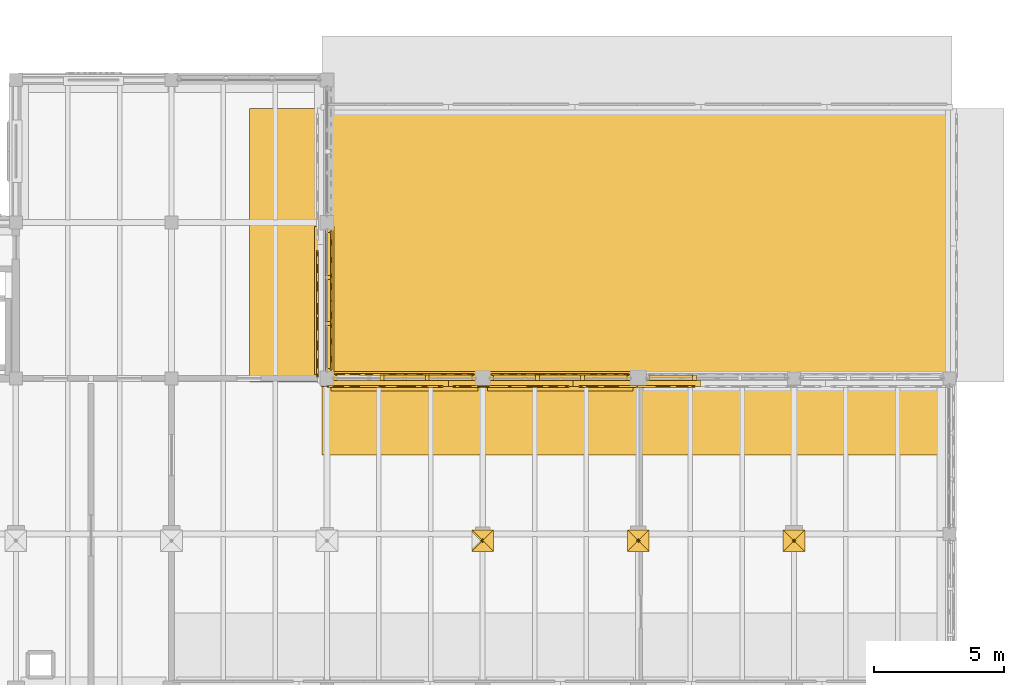
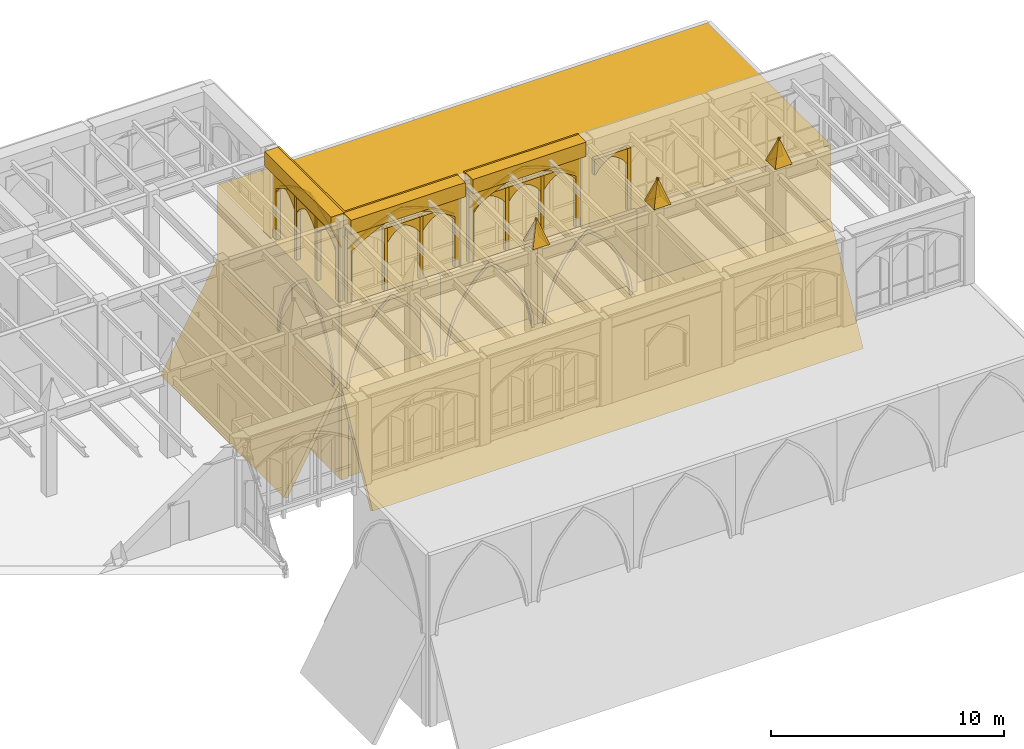
# One storey, part 139 of 143: 49 coverings.
"""IFC4 building model written with IfcOpenShell, lengths in metres."""

from ifc_helpers import new_model, si_unit, direction, frame, origin, origin_2d, place, context, subcontext, project, spatial, polyline, rectangle, outline, extrude, material, type_object, element, save


model = new_model("IFC4")

# Units and contexts
model_context = context("Model", 3, precision=1e-05, world=origin(), true_north=direction((0.0, 1.0)))
body_context = subcontext(model_context, "Body", "Model", "MODEL_VIEW")
ifc_project = project(units=[si_unit("LENGTHUNIT", "METRE"), si_unit("AREAUNIT", "SQUARE_METRE"), si_unit("VOLUMEUNIT", "CUBIC_METRE"), si_unit("PLANEANGLEUNIT", "RADIAN"), si_unit("MASSUNIT", "GRAM", prefix="KILO")], contexts=[model_context])

# Site, building, storey
site_placement = place(None, origin())
site = spatial("IfcSite", under=ifc_project, at=site_placement, CompositionType="ELEMENT")
building_placement = place(site_placement, origin())
building = spatial("IfcBuilding", under=site, at=building_placement, Name="Cumevento Cable Car Station", CompositionType="ELEMENT")
storey_placement = place(building_placement, frame((0.0, 0.0, 9.0)))
storey = spatial("IfcBuildingStorey", under=building, at=storey_placement, Name="L03", CompositionType="ELEMENT", Elevation=9.0)

# Coverings
ifc_material = material(Name="Gnaisse Facoidal Stone Ashlar 85 MPa", Category="masonry")
covering_type = type_object("IfcCoveringType", Name="Gnaisse Ashlar Cladding CV-CL01", PredefinedType="CLADDING", material=ifc_material)
for number, where, z_axis, x_axis, name in (
    (1, (147.580078125, 39.159912109375, 4.8701171875), (0.0, 0.951573760476, 0.30742052367), (1.0, 0.0, 0.0), "Gothic Buttress Pinnacle Spire Facet 1 bt:148.0:39.0"),
    (2, (148.419921875, 39.159912109375, 4.8701171875), (0.951573760476, 0.0, 0.30742052367), (0.0, -1.0, 0.0), "Gothic Buttress Pinnacle Spire Facet 2 bt:148.0:39.0"),
    (3, (148.419921875, 38.320068359375, 4.8701171875), (0.0, -0.951573760476, 0.30742052367), (-1.0, 0.0, 0.0), "Gothic Buttress Pinnacle Spire Facet 3 bt:148.0:39.0"),
    (4, (153.580078125, 39.159912109375, 4.8701171875), (0.0, 0.951573760476, 0.30742052367), (1.0, 0.0, 0.0), "Gothic Buttress Pinnacle Spire Facet 1 bt:154.0:39.0"),
    (5, (154.419921875, 39.159912109375, 4.8701171875), (0.951573760476, 0.0, 0.30742052367), (0.0, -1.0, 0.0), "Gothic Buttress Pinnacle Spire Facet 2 bt:154.0:39.0"),
    (6, (154.419921875, 38.320068359375, 4.8701171875), (0.0, -0.951573760476, 0.30742052367), (-1.0, 0.0, 0.0), "Gothic Buttress Pinnacle Spire Facet 3 bt:154.0:39.0"),
    (7, (153.580078125, 38.320068359375, 4.8701171875), (-0.951573760476, 0.0, 0.30742052367), (0.0, 1.0, 0.0), "Gothic Buttress Pinnacle Spire Facet 4 bt:154.0:39.0"),
    (8, (159.580078125, 39.159912109375, 4.8701171875), (0.0, 0.951573760476, 0.30742052367), (1.0, 0.0, 0.0), "Gothic Buttress Pinnacle Spire Facet 1 bt:160.0:39.0"),
    (9, (160.419921875, 39.159912109375, 4.8701171875), (0.951573760476, 0.0, 0.30742052367), (0.0, -1.0, 0.0), "Gothic Buttress Pinnacle Spire Facet 2 bt:160.0:39.0"),
    (10, (160.419921875, 38.320068359375, 4.8701171875), (0.0, -0.951573760476, 0.30742052367), (-1.0, 0.0, 0.0), "Gothic Buttress Pinnacle Spire Facet 3 bt:160.0:39.0"),
    (11, (159.580078125, 38.320068359375, 4.8701171875), (-0.951573760476, 0.0, 0.30742052367), (0.0, 1.0, 0.0), "Gothic Buttress Pinnacle Spire Facet 4 bt:160.0:39.0"),
):
    element("IfcCovering", number, at=place(storey_placement, frame(where, z_axis=z_axis, x_axis=x_axis)), inside=storey, type_object=covering_type, Name=name, PredefinedType="CLADDING", context=body_context, shape_type="SweptSolid", body=[
        extrude(outline(polyline([(0.0, 0.0), (0.83984375, 0.0), (0.419921875, -1.3659526370817139), (0.0, 0.0)])), origin(), (0.0, 0.0, -1.0), 0.0849609375),
    ])
covering_1_placement = place(storey_placement, frame((144.987548828125, 44.85009765625, 3.80908203125), z_axis=(0.0, 0.0, 1.0), x_axis=(1.0, 0.0, 0.0)))
element("IfcCovering", 12, at=covering_1_placement, inside=storey, type_object=covering_type, Name="Gothic Stone Spandrel Stringcourse sc:0685", PredefinedType="CLADDING", context=body_context, shape_type="SweptSolid", body=[
    extrude(rectangle(XDim=5.6650390625, YDim=0.659912109375, at=origin_2d()), origin(), (0.0, 0.0, 1.0), 0.7470703125),
])
covering_2_placement = place(storey_placement, frame((144.987548828125, 45.20751953125, 4.426025390625), z_axis=(0.0, 0.0, 1.0), x_axis=(1.0, 0.0, 0.0)))
element("IfcCovering", 13, at=covering_2_placement, inside=storey, type_object=covering_type, Name="Gothic Cornice Dripstone Lip sc:0685", PredefinedType="CLADDING", context=body_context, shape_type="SweptSolid", body=[
    extrude(rectangle(XDim=5.705078125, YDim=0.114990234375, at=origin_2d()), origin(), (0.0, 0.0, 1.0), 0.1298828125),
])
covering_3_placement = place(storey_placement, frame((150.987548828125, 44.85009765625, 3.8330078125), z_axis=(0.0, 0.0, 1.0), x_axis=(1.0, 0.0, 0.0)))
element("IfcCovering", 14, at=covering_3_placement, inside=storey, type_object=covering_type, Name="Gothic Stone Spandrel Stringcourse sc:0686", PredefinedType="CLADDING", context=body_context, shape_type="SweptSolid", body=[
    extrude(rectangle(XDim=5.614990234375, YDim=0.659912109375, at=origin_2d()), origin(), (0.0, 0.0, 1.0), 0.7470703125),
])
covering_4_placement = place(storey_placement, frame((150.987548828125, 45.20751953125, 4.449951171875), z_axis=(0.0, 0.0, 1.0), x_axis=(1.0, 0.0, 0.0)))
element("IfcCovering", 15, at=covering_4_placement, inside=storey, type_object=covering_type, Name="Gothic Cornice Dripstone Lip sc:0686", PredefinedType="CLADDING", context=body_context, shape_type="SweptSolid", body=[
    extrude(rectangle(XDim=5.655029296875, YDim=0.114990234375, at=origin_2d()), origin(), (0.0, 0.0, 1.0), 0.1298828125),
])
covering_5_placement = place(storey_placement, frame((141.85009765625, 48.0, 3.80908203125), z_axis=(0.0, 0.0, 1.0), x_axis=(0.0, -1.0, 0.0)))
element("IfcCovering", 16, at=covering_5_placement, inside=storey, type_object=covering_type, Name="Gothic Stone Spandrel Stringcourse sc:0696", PredefinedType="CLADDING", context=body_context, shape_type="SweptSolid", body=[
    extrude(rectangle(XDim=5.68994140625, YDim=0.659912109375, at=origin_2d()), origin(), (0.0, 0.0, 1.0), 0.7470703125),
])
covering_6_placement = place(storey_placement, frame((142.20751953125, 48.0, 4.426025390625), z_axis=(0.0, 0.0, 1.0), x_axis=(0.0, -1.0, 0.0)))
element("IfcCovering", 17, at=covering_6_placement, inside=storey, type_object=covering_type, Name="Gothic Cornice Dripstone Lip sc:0696", PredefinedType="CLADDING", context=body_context, shape_type="SweptSolid", body=[
    extrude(rectangle(XDim=5.72998046875, YDim=0.114990234375, at=origin_2d()), origin(), (0.0, 0.0, 1.0), 0.1298828125),
])
placement_1 = place(storey_placement, frame((142.27490234375, 45.0, -0.27001953125), z_axis=(0.0, 0.0, 1.0), x_axis=(1.0, 0.0, 0.0)))
element("IfcCovering", 18, at=placement_1, inside=storey, type_object=covering_type, Name="Gothic Ogival Pointed-Arch Stone Spandrel cw_ogival:0133", PredefinedType="CLADDING", context=body_context, shape_type="SweptSolid", body=[
    extrude(outline(polyline([(-0.080078125, 0.0), (-0.080078125, 4.218994140625), (5.5048828125, 4.218994140625), (5.5048828125, 0.0), (5.264892578125, 0.0), (5.264892578125, 2.893798828125), (4.97216796875, 3.086669921875), (4.670166015625, 3.265380859375), (4.360107421875, 3.429443359375), (4.042724609375, 3.57861328125), (3.718505859375, 3.71240234375), (3.38818359375, 3.83056640625), (3.052490234375, 3.932861328125), (2.71240234375, 4.01904296875), (2.37255859375, 3.932861328125), (2.036865234375, 3.83056640625), (1.70654296875, 3.71240234375), (1.38232421875, 3.57861328125), (1.06494140625, 3.429443359375), (0.7548828125, 3.265380859375), (0.452880859375, 3.086669921875), (0.159912109375, 2.893798828125), (0.159912109375, 0.0), (-0.080078125, 0.0)])), frame((0.0, 0.139892578125, 0.0), z_axis=(0.0, -1.0, 0.0), x_axis=(1.0, 0.0, 0.0)), (0.0, 0.0, 1.0), 0.219970703125),
])
covering_8_placement = place(storey_placement, frame((142.27490234375, 45.0, 2.623779296875), z_axis=(0.0, 0.0, 1.0), x_axis=(1.0, 0.0, 0.0)))
element("IfcCovering", 19, at=covering_8_placement, inside=storey, type_object=covering_type, Name="Gothic Pointed Archivolt Hood Moulding cw_ogival:0133", PredefinedType="CLADDING", context=body_context, shape_type="SweptSolid", body=[
    extrude(outline(polyline([(0.159912109375, 0.0), (0.452880859375, 0.19287109375), (0.7548828125, 0.37158203125), (1.06494140625, 0.53564453125), (1.38232421875, 0.684814453125), (1.70654296875, 0.818603515625), (2.036865234375, 0.936767578125), (2.37255859375, 1.0390625), (2.71240234375, 1.125244140625), (3.052490234375, 1.0390625), (3.38818359375, 0.936767578125), (3.718505859375, 0.818603515625), (4.042724609375, 0.684814453125), (4.360107421875, 0.53564453125), (4.670166015625, 0.37158203125), (4.97216796875, 0.19287109375), (5.264892578125, 0.0), (5.375, 0.0), (5.073486328125, 0.2158203125), (4.76123046875, 0.416015625), (4.439208984375, 0.60009765625), (4.1083984375, 0.767333984375), (3.769287109375, 0.917724609375), (3.423095703125, 1.050537109375), (3.070556640625, 1.165771484375), (2.71240234375, 1.2626953125), (2.3544921875, 1.165771484375), (2.001953125, 1.050537109375), (1.65576171875, 0.917724609375), (1.316650390625, 0.767333984375), (0.98583984375, 0.60009765625), (0.663818359375, 0.416015625), (0.3515625, 0.2158203125), (0.050048828125, 0.0), (0.159912109375, 0.0)])), frame((0.0, 0.181884765625, 0.0), z_axis=(0.0, -1.0, 0.0), x_axis=(1.0, 0.0, 0.0)), (0.0, 0.0, 1.0), 0.06689453125),
])
element("IfcCovering", 20, at=placement_1, inside=storey, type_object=covering_type, Name="Gothic Bifora Stone Colonnette cw_ogival:0133 #1", PredefinedType="CLADDING", context=body_context, shape_type="SweptSolid", body=[
    extrude(outline(polyline([(1.76171875, -0.02001953125), (1.91162109375, -0.02001953125), (1.91162109375, 3.47900390625), (1.76171875, 3.47900390625), (1.76171875, -0.02001953125)])), frame((0.0, 0.1279296875, 0.0), z_axis=(0.0, -1.0, 0.0), x_axis=(1.0, 0.0, 0.0)), (0.0, 0.0, 1.0), 0.205078125),
])
element("IfcCovering", 21, at=placement_1, inside=storey, type_object=covering_type, Name="Gothic Bifora Stone Colonnette cw_ogival:0133 #2", PredefinedType="CLADDING", context=body_context, shape_type="SweptSolid", body=[
    extrude(outline(polyline([(3.513427734375, -0.02001953125), (3.663330078125, -0.02001953125), (3.663330078125, 3.47900390625), (3.513427734375, 3.47900390625), (3.513427734375, -0.02001953125)])), frame((0.0, 0.1279296875, 0.0), z_axis=(0.0, -1.0, 0.0), x_axis=(1.0, 0.0, 0.0)), (0.0, 0.0, 1.0), 0.205078125),
])
for number, where, z_axis, x_axis, name in (
    (22, (144.15673828125, 45.0, 2.44384765625), (0.0, 0.0, 1.0), (1.0, 0.0, 0.0), "Gothic Ogival Pointed-Arch Stone Spandrel cw_ogival:0133:sub:1"),
    (23, (145.908447265625, 45.0, 2.44384765625), (0.0, 0.0, 1.0), (1.0, 0.0, 0.0), "Gothic Ogival Pointed-Arch Stone Spandrel cw_ogival:0133:sub:2"),
):
    element("IfcCovering", number, at=place(storey_placement, frame(where, z_axis=z_axis, x_axis=x_axis)), inside=storey, type_object=covering_type, Name=name, PredefinedType="CLADDING", context=body_context, shape_type="SweptSolid", body=[
        extrude(outline(polyline([(-0.02001953125, 0.0), (-0.02001953125, 0.76513671875), (1.681640625, 0.76513671875), (1.681640625, 0.0), (1.62158203125, 0.0), (1.5205078125, 0.14013671875), (1.405517578125, 0.26904296875), (1.27734375, 0.38525390625), (1.137939453125, 0.4873046875), (0.988525390625, 0.57421875), (0.830810546875, 0.64501953125), (0.673095703125, 0.57421875), (0.523681640625, 0.4873046875), (0.38427734375, 0.38525390625), (0.256103515625, 0.26904296875), (0.14111328125, 0.14013671875), (0.0400390625, 0.0), (-0.02001953125, 0.0)])), frame((0.0, 0.1240234375, 0.0), z_axis=(0.0, -1.0, 0.0), x_axis=(1.0, 0.0, 0.0)), (0.0, 0.0, 1.0), 0.199951171875),
    ])
placement_2 = place(storey_placement, frame((148.300048828125, 45.0, -0.219970703125), z_axis=(0.0, 0.0, 1.0), x_axis=(1.0, 0.0, 0.0)))
element("IfcCovering", 24, at=placement_2, inside=storey, type_object=covering_type, Name="Gothic Ogival Pointed-Arch Stone Spandrel cw_ogival:0134", PredefinedType="CLADDING", context=body_context, shape_type="SweptSolid", body=[
    extrude(outline(polyline([(-0.080078125, 0.0), (-0.080078125, 4.193115234375), (5.455078125, 4.193115234375), (5.455078125, 0.0), (5.215087890625, 0.0), (5.215087890625, 2.877197265625), (4.925048828125, 3.068603515625), (4.626220703125, 3.245849609375), (4.319091796875, 3.408203125), (4.0048828125, 3.556396484375), (3.68359375, 3.68896484375), (3.356689453125, 3.80615234375), (3.024169921875, 3.90771484375), (2.6875, 3.9931640625), (2.350830078125, 3.90771484375), (2.018310546875, 3.80615234375), (1.69140625, 3.68896484375), (1.3701171875, 3.556396484375), (1.055908203125, 3.408203125), (0.748779296875, 3.245849609375), (0.449951171875, 3.068603515625), (0.159912109375, 2.877197265625), (0.159912109375, 0.0), (-0.080078125, 0.0)])), frame((0.0, 0.139892578125, 0.0), z_axis=(0.0, -1.0, 0.0), x_axis=(1.0, 0.0, 0.0)), (0.0, 0.0, 1.0), 0.219970703125),
])
covering_12_placement = place(storey_placement, frame((148.300048828125, 45.0, 2.656982421875), z_axis=(0.0, 0.0, 1.0), x_axis=(1.0, 0.0, 0.0)))
element("IfcCovering", 25, at=covering_12_placement, inside=storey, type_object=covering_type, Name="Gothic Pointed Archivolt Hood Moulding cw_ogival:0134", PredefinedType="CLADDING", context=body_context, shape_type="SweptSolid", body=[
    extrude(outline(polyline([(0.159912109375, 0.0), (0.449951171875, 0.19140625), (0.748779296875, 0.36865234375), (1.055908203125, 0.53125), (1.3701171875, 0.67919921875), (1.69140625, 0.811767578125), (2.018310546875, 0.928955078125), (2.350830078125, 1.030517578125), (2.6875, 1.115966796875), (3.024169921875, 1.030517578125), (3.356689453125, 0.928955078125), (3.68359375, 0.811767578125), (4.0048828125, 0.67919921875), (4.319091796875, 0.53125), (4.626220703125, 0.36865234375), (4.925048828125, 0.19140625), (5.215087890625, 0.0), (5.324951171875, 0.0), (5.0263671875, 0.214111328125), (4.717041015625, 0.412841796875), (4.398193359375, 0.595458984375), (4.0703125, 0.76171875), (3.734619140625, 0.910888671875), (3.3916015625, 1.04296875), (3.042236328125, 1.1572265625), (2.6875, 1.25341796875), (2.332763671875, 1.1572265625), (1.9833984375, 1.04296875), (1.640380859375, 0.910888671875), (1.3046875, 0.76171875), (0.976806640625, 0.595458984375), (0.657958984375, 0.412841796875), (0.3486328125, 0.214111328125), (0.050048828125, 0.0), (0.159912109375, 0.0)])), frame((0.0, 0.181884765625, 0.0), z_axis=(0.0, -1.0, 0.0), x_axis=(1.0, 0.0, 0.0)), (0.0, 0.0, 1.0), 0.06689453125),
])
element("IfcCovering", 26, at=placement_2, inside=storey, type_object=covering_type, Name="Gothic Bifora Stone Colonnette cw_ogival:0134 #1", PredefinedType="CLADDING", context=body_context, shape_type="SweptSolid", body=[
    extrude(outline(polyline([(1.7451171875, -0.02001953125), (1.89501953125, -0.02001953125), (1.89501953125, 3.45751953125), (1.7451171875, 3.45751953125), (1.7451171875, -0.02001953125)])), frame((0.0, 0.1279296875, 0.0), z_axis=(0.0, -1.0, 0.0), x_axis=(1.0, 0.0, 0.0)), (0.0, 0.0, 1.0), 0.205078125),
])
element("IfcCovering", 27, at=placement_2, inside=storey, type_object=covering_type, Name="Gothic Bifora Stone Colonnette cw_ogival:0134 #2", PredefinedType="CLADDING", context=body_context, shape_type="SweptSolid", body=[
    extrude(outline(polyline([(3.47998046875, -0.02001953125), (3.6298828125, -0.02001953125), (3.6298828125, 3.45751953125), (3.47998046875, 3.45751953125), (3.47998046875, -0.02001953125)])), frame((0.0, 0.1279296875, 0.0), z_axis=(0.0, -1.0, 0.0), x_axis=(1.0, 0.0, 0.0)), (0.0, 0.0, 1.0), 0.205078125),
])
for number, where, z_axis, x_axis, name in (
    (28, (148.429931640625, 45.0, 2.47705078125), (0.0, 0.0, 1.0), (1.0, 0.0, 0.0), "Gothic Ogival Pointed-Arch Stone Spandrel cw_ogival:0134:sub:0"),
    (29, (150.1650390625, 45.0, 2.47705078125), (0.0, 0.0, 1.0), (1.0, 0.0, 0.0), "Gothic Ogival Pointed-Arch Stone Spandrel cw_ogival:0134:sub:1"),
    (30, (151.89990234375, 45.0, 2.47705078125), (0.0, 0.0, 1.0), (1.0, 0.0, 0.0), "Gothic Ogival Pointed-Arch Stone Spandrel cw_ogival:0134:sub:2"),
):
    element("IfcCovering", number, at=place(storey_placement, frame(where, z_axis=z_axis, x_axis=x_axis)), inside=storey, type_object=covering_type, Name=name, PredefinedType="CLADDING", context=body_context, shape_type="SweptSolid", body=[
        extrude(outline(polyline([(-0.02001953125, 0.0), (-0.02001953125, 0.76025390625), (1.6650390625, 0.76025390625), (1.6650390625, 0.0), (1.60498046875, 0.0), (1.505126953125, 0.13916015625), (1.391357421875, 0.26708984375), (1.2646484375, 0.38232421875), (1.126708984375, 0.483642578125), (0.978759765625, 0.570068359375), (0.822509765625, 0.640380859375), (0.666259765625, 0.570068359375), (0.518310546875, 0.483642578125), (0.38037109375, 0.38232421875), (0.253662109375, 0.26708984375), (0.139892578125, 0.13916015625), (0.0400390625, 0.0), (-0.02001953125, 0.0)])), frame((0.0, 0.1240234375, 0.0), z_axis=(0.0, -1.0, 0.0), x_axis=(1.0, 0.0, 0.0)), (0.0, 0.0, 1.0), 0.199951171875),
    ])
covering_15_placement = place(storey_placement, frame((154.324951171875, 45.0, -0.52001953125), z_axis=(0.0, 0.0, 1.0), x_axis=(1.0, 0.0, 0.0)))
element("IfcCovering", 31, at=covering_15_placement, inside=storey, type_object=covering_type, Name="Gothic Bifora Stone Colonnette cw_ogival:0136 #1", PredefinedType="CLADDING", context=body_context, shape_type="SweptSolid", body=[
    extrude(outline(polyline([(1.76171875, -0.02001953125), (1.91162109375, -0.02001953125), (1.91162109375, 3.70556640625), (1.76171875, 3.70556640625), (1.76171875, -0.02001953125)])), frame((0.0, 0.1279296875, 0.0), z_axis=(0.0, -1.0, 0.0), x_axis=(1.0, 0.0, 0.0)), (0.0, 0.0, 1.0), 0.205078125),
])
covering_16_placement = place(storey_placement, frame((154.455078125, 45.0, 2.369140625), z_axis=(0.0, 0.0, 1.0), x_axis=(1.0, 0.0, 0.0)))
element("IfcCovering", 32, at=covering_16_placement, inside=storey, type_object=covering_type, Name="Gothic Ogival Pointed-Arch Stone Spandrel cw_ogival:0136:sub:0", PredefinedType="CLADDING", context=body_context, shape_type="SweptSolid", body=[
    extrude(outline(polyline([(-0.02001953125, 0.0), (-0.02001953125, 0.81640625), (1.681640625, 0.81640625), (1.681640625, 0.0), (1.62158203125, 0.0), (1.52490234375, 0.150390625), (1.412109375, 0.2890625), (1.28466796875, 0.41455078125), (1.14404296875, 0.525146484375), (0.9921875, 0.619384765625), (0.830810546875, 0.6962890625), (0.66943359375, 0.619384765625), (0.517578125, 0.525146484375), (0.376953125, 0.41455078125), (0.24951171875, 0.2890625), (0.13671875, 0.150390625), (0.0400390625, 0.0), (-0.02001953125, 0.0)])), frame((0.0, 0.1240234375, 0.0), z_axis=(0.0, -1.0, 0.0), x_axis=(1.0, 0.0, 0.0)), (0.0, 0.0, 1.0), 0.199951171875),
])
placement_3 = place(storey_placement, frame((142.0, 50.72509765625, -0.219970703125), z_axis=(0.0, 0.0, 1.0), x_axis=(0.0, -1.0, 0.0)))
element("IfcCovering", 33, at=placement_3, inside=storey, type_object=covering_type, Name="Gothic Ogival Pointed-Arch Stone Spandrel cw_ogival:0142", PredefinedType="CLADDING", context=body_context, shape_type="SweptSolid", body=[
    extrude(outline(polyline([(-0.080078125, 0.0), (-0.080078125, 4.1689453125), (5.530029296875, 4.1689453125), (5.530029296875, 0.0), (5.2900390625, 0.0), (5.2900390625, 2.86181640625), (4.99462890625, 3.0517578125), (4.6904296875, 3.227783203125), (4.378662109375, 3.38916015625), (4.0595703125, 3.535888671875), (3.73388671875, 3.66748046875), (3.40234375, 3.78369140625), (3.06591796875, 3.88427734375), (2.72509765625, 3.968994140625), (2.384033203125, 3.88427734375), (2.047607421875, 3.78369140625), (1.716064453125, 3.66748046875), (1.390380859375, 3.535888671875), (1.0712890625, 3.38916015625), (0.759521484375, 3.227783203125), (0.455322265625, 3.0517578125), (0.159912109375, 2.86181640625), (0.159912109375, 0.0), (-0.080078125, 0.0)])), frame((0.0, 0.139892578125, 0.0), z_axis=(0.0, -1.0, 0.0), x_axis=(1.0, 0.0, 0.0)), (0.0, 0.0, 1.0), 0.219970703125),
])
covering_18_placement = place(storey_placement, frame((142.0, 50.72509765625, 2.641845703125), z_axis=(0.0, 0.0, 1.0), x_axis=(0.0, -1.0, 0.0)))
element("IfcCovering", 34, at=covering_18_placement, inside=storey, type_object=covering_type, Name="Gothic Pointed Archivolt Hood Moulding cw_ogival:0142", PredefinedType="CLADDING", context=body_context, shape_type="SweptSolid", body=[
    extrude(outline(polyline([(0.159912109375, 0.0), (0.455322265625, 0.18994140625), (0.759521484375, 0.365966796875), (1.0712890625, 0.52734375), (1.390380859375, 0.674072265625), (1.716064453125, 0.8056640625), (2.047607421875, 0.921875), (2.384033203125, 1.0224609375), (2.72509765625, 1.107177734375), (3.06591796875, 1.0224609375), (3.40234375, 0.921875), (3.73388671875, 0.8056640625), (4.0595703125, 0.674072265625), (4.378662109375, 0.52734375), (4.6904296875, 0.365966796875), (4.99462890625, 0.18994140625), (5.2900390625, 0.0), (5.39990234375, 0.0), (5.095947265625, 0.212890625), (4.781494140625, 0.410400390625), (4.45751953125, 0.591796875), (4.125, 0.7568359375), (3.78466796875, 0.905029296875), (3.437255859375, 1.035888671875), (3.083740234375, 1.149169921875), (2.72509765625, 1.24462890625), (2.3662109375, 1.149169921875), (2.0126953125, 1.035888671875), (1.665283203125, 0.905029296875), (1.324951171875, 0.7568359375), (0.992431640625, 0.591796875), (0.66845703125, 0.410400390625), (0.35400390625, 0.212890625), (0.050048828125, 0.0), (0.159912109375, 0.0)])), frame((0.0, 0.181884765625, 0.0), z_axis=(0.0, -1.0, 0.0), x_axis=(1.0, 0.0, 0.0)), (0.0, 0.0, 1.0), 0.06689453125),
])
element("IfcCovering", 35, at=placement_3, inside=storey, type_object=covering_type, Name="Gothic Bifora Stone Colonnette cw_ogival:0142 #1", PredefinedType="CLADDING", context=body_context, shape_type="SweptSolid", body=[
    extrude(outline(polyline([(1.77001953125, -0.02001953125), (1.919921875, -0.02001953125), (1.919921875, 3.4375), (1.77001953125, 3.4375), (1.77001953125, -0.02001953125)])), frame((0.0, 0.1279296875, 0.0), z_axis=(0.0, -1.0, 0.0), x_axis=(1.0, 0.0, 0.0)), (0.0, 0.0, 1.0), 0.205078125),
])
element("IfcCovering", 36, at=placement_3, inside=storey, type_object=covering_type, Name="Gothic Bifora Stone Colonnette cw_ogival:0142 #2", PredefinedType="CLADDING", context=body_context, shape_type="SweptSolid", body=[
    extrude(outline(polyline([(3.530029296875, -0.02001953125), (3.679931640625, -0.02001953125), (3.679931640625, 3.4375), (3.530029296875, 3.4375), (3.530029296875, -0.02001953125)])), frame((0.0, 0.1279296875, 0.0), z_axis=(0.0, -1.0, 0.0), x_axis=(1.0, 0.0, 0.0)), (0.0, 0.0, 1.0), 0.205078125),
])
for number, where, z_axis, x_axis, name in (
    (37, (142.0, 50.594970703125, 2.4619140625), (0.0, 0.0, 1.0), (0.0, -1.0, 0.0), "Gothic Ogival Pointed-Arch Stone Spandrel cw_ogival:0142:sub:0"),
    (38, (142.0, 48.8349609375, 2.4619140625), (0.0, 0.0, 1.0), (0.0, -1.0, 0.0), "Gothic Ogival Pointed-Arch Stone Spandrel cw_ogival:0142:sub:1"),
    (39, (142.0, 47.074951171875, 2.4619140625), (0.0, 0.0, 1.0), (0.0, -1.0, 0.0), "Gothic Ogival Pointed-Arch Stone Spandrel cw_ogival:0142:sub:2"),
):
    element("IfcCovering", number, at=place(storey_placement, frame(where, z_axis=z_axis, x_axis=x_axis)), inside=storey, type_object=covering_type, Name=name, PredefinedType="CLADDING", context=body_context, shape_type="SweptSolid", body=[
        extrude(outline(polyline([(-0.02001953125, 0.0), (-0.02001953125, 0.755615234375), (1.68994140625, 0.755615234375), (1.68994140625, 0.0), (1.6298828125, 0.0), (1.52734375, 0.138427734375), (1.410888671875, 0.265625), (1.2822265625, 0.380126953125), (1.14208984375, 0.48046875), (0.99267578125, 0.566162109375), (0.8349609375, 0.6357421875), (0.67724609375, 0.566162109375), (0.52783203125, 0.48046875), (0.3876953125, 0.380126953125), (0.259033203125, 0.265625), (0.142578125, 0.138427734375), (0.0400390625, 0.0), (-0.02001953125, 0.0)])), frame((0.0, 0.1240234375, 0.0), z_axis=(0.0, -1.0, 0.0), x_axis=(1.0, 0.0, 0.0)), (0.0, 0.0, 1.0), 0.199951171875),
    ])
covering_21_placement = place(storey_placement, frame((0.0, 0.0, -9.080078125)))
element("IfcCovering", 40, at=covering_21_placement, inside=storey, type_object=covering_type, Name="Stepped Gnaisse Hillside Terrain Shoulder SLOPE_DEP_N.1", PredefinedType="CLADDING", context=body_context, shape_type="SweptSolid", body=[
    extrude(outline(polyline([(141.800048828125, 44.85009765625), (141.800048828125, 55.39990234375), (166.10009765625, 55.39990234375), (166.10009765625, 44.85009765625), (141.800048828125, 44.85009765625)])), origin(), (0.0, 0.0, 1.0), 9.02001953125),
])
covering_22_placement = place(storey_placement, frame((146.659912109375, 44.85009765625, -9.02001953125), z_axis=(0.0, 0.0, 1.0), x_axis=(-1.0, 0.0, 0.0)))
element("IfcCovering", 41, at=covering_22_placement, inside=storey, type_object=covering_type, Name="Gothic Ogival Pointed-Arch Stone Spandrel cumevento_plinth:bank_arch:SLOPE_DEP_N:S:0", PredefinedType="CLADDING", context=body_context, shape_type="SweptSolid", body=[
    extrude(outline(polyline([(-0.030029296875, 0.0), (-0.030029296875, 8.97998046875), (4.889892578125, 8.97998046875), (4.889892578125, 0.0), (4.5400390625, 0.0), (4.5400390625, 4.47998046875), (4.477294921875, 5.300537109375), (4.29052734375, 6.10205078125), (3.98388671875, 6.865966796875), (3.564697265625, 7.57421875), (3.042724609375, 8.21044921875), (2.429931640625, 8.760009765625), (1.8173828125, 8.21044921875), (1.29541015625, 7.57421875), (0.876220703125, 6.865966796875), (0.569580078125, 6.10205078125), (0.3828125, 5.300537109375), (0.320068359375, 4.47998046875), (0.320068359375, 0.0), (-0.030029296875, 0.0)])), frame((0.0, 0.159912109375, 0.0), z_axis=(0.0, -1.0, 0.0), x_axis=(1.0, 0.0, 0.0)), (0.0, 0.0, 1.0), 0.219970703125),
])
covering_23_placement = place(storey_placement, frame((146.659912109375, 44.85009765625, -4.5400390625), z_axis=(0.0, 0.0, 1.0), x_axis=(-1.0, 0.0, 0.0)))
element("IfcCovering", 42, at=covering_23_placement, inside=storey, type_object=covering_type, Name="Gothic Pointed Archivolt Hood Moulding cumevento_plinth:bank_arch:SLOPE_DEP_N:S:0", PredefinedType="CLADDING", context=body_context, shape_type="SweptSolid", body=[
    extrude(outline(polyline([(0.320068359375, 0.0), (0.3828125, 0.820556640625), (0.569580078125, 1.6220703125), (0.876220703125, 2.385986328125), (1.29541015625, 3.09423828125), (1.8173828125, 3.73046875), (2.429931640625, 4.280029296875), (3.042724609375, 3.73046875), (3.564697265625, 3.09423828125), (3.98388671875, 2.385986328125), (4.29052734375, 1.6220703125), (4.477294921875, 0.820556640625), (4.5400390625, 0.0), (4.660888671875, 0.0), (4.594482421875, 0.854248046875), (4.396484375, 1.687744140625), (4.07177734375, 2.480712890625), (3.62841796875, 3.213623046875), (3.07666015625, 3.869140625), (2.429931640625, 4.43115234375), (1.783447265625, 3.869140625), (1.231689453125, 3.213623046875), (0.788330078125, 2.480712890625), (0.463623046875, 1.687744140625), (0.265625, 0.854248046875), (0.198974609375, 0.0), (0.320068359375, 0.0)])), frame((0.0, 0.201904296875, 0.0), z_axis=(0.0, -1.0, 0.0), x_axis=(1.0, 0.0, 0.0)), (0.0, 0.0, 1.0), 0.06689453125),
])
covering_24_placement = place(storey_placement, frame((151.52001953125, 44.85009765625, -9.02001953125), z_axis=(0.0, 0.0, 1.0), x_axis=(-1.0, 0.0, 0.0)))
element("IfcCovering", 43, at=covering_24_placement, inside=storey, type_object=covering_type, Name="Gothic Ogival Pointed-Arch Stone Spandrel cumevento_plinth:bank_arch:SLOPE_DEP_N:S:1", PredefinedType="CLADDING", context=body_context, shape_type="SweptSolid", body=[
    extrude(outline(polyline([(-0.030029296875, 0.0), (-0.030029296875, 8.97998046875), (4.889892578125, 8.97998046875), (4.889892578125, 0.0), (4.5400390625, 0.0), (4.5400390625, 4.47998046875), (4.477294921875, 5.300537109375), (4.29052734375, 6.10205078125), (3.98388671875, 6.865966796875), (3.564697265625, 7.57421875), (3.042724609375, 8.21044921875), (2.429931640625, 8.760009765625), (1.8173828125, 8.21044921875), (1.29541015625, 7.57421875), (0.876220703125, 6.865966796875), (0.569580078125, 6.10205078125), (0.3828125, 5.300537109375), (0.320068359375, 4.47998046875), (0.320068359375, 0.0), (-0.030029296875, 0.0)])), frame((0.0, 0.159912109375, 0.0), z_axis=(0.0, -1.0, 0.0), x_axis=(1.0, 0.0, 0.0)), (0.0, 0.0, 1.0), 0.219970703125),
])
covering_25_placement = place(storey_placement, frame((151.52001953125, 44.85009765625, -4.5400390625), z_axis=(0.0, 0.0, 1.0), x_axis=(-1.0, 0.0, 0.0)))
element("IfcCovering", 44, at=covering_25_placement, inside=storey, type_object=covering_type, Name="Gothic Pointed Archivolt Hood Moulding cumevento_plinth:bank_arch:SLOPE_DEP_N:S:1", PredefinedType="CLADDING", context=body_context, shape_type="SweptSolid", body=[
    extrude(outline(polyline([(0.320068359375, 0.0), (0.3828125, 0.820556640625), (0.569580078125, 1.6220703125), (0.876220703125, 2.385986328125), (1.29541015625, 3.09423828125), (1.8173828125, 3.73046875), (2.429931640625, 4.280029296875), (3.042724609375, 3.73046875), (3.564697265625, 3.09423828125), (3.98388671875, 2.385986328125), (4.29052734375, 1.6220703125), (4.477294921875, 0.820556640625), (4.5400390625, 0.0), (4.660888671875, 0.0), (4.594482421875, 0.854248046875), (4.396484375, 1.687744140625), (4.07177734375, 2.480712890625), (3.62841796875, 3.213623046875), (3.07666015625, 3.869140625), (2.429931640625, 4.43115234375), (1.783447265625, 3.869140625), (1.231689453125, 3.213623046875), (0.788330078125, 2.480712890625), (0.463623046875, 1.687744140625), (0.265625, 0.854248046875), (0.198974609375, 0.0), (0.320068359375, 0.0)])), frame((0.0, 0.201904296875, 0.0), z_axis=(0.0, -1.0, 0.0), x_axis=(1.0, 0.0, 0.0)), (0.0, 0.0, 1.0), 0.06689453125),
])
covering_26_placement = place(storey_placement, frame((156.3798828125, 44.85009765625, -9.02001953125), z_axis=(0.0, 0.0, 1.0), x_axis=(-1.0, 0.0, 0.0)))
element("IfcCovering", 45, at=covering_26_placement, inside=storey, type_object=covering_type, Name="Gothic Ogival Pointed-Arch Stone Spandrel cumevento_plinth:bank_arch:SLOPE_DEP_N:S:2", PredefinedType="CLADDING", context=body_context, shape_type="SweptSolid", body=[
    extrude(outline(polyline([(-0.030029296875, 0.0), (-0.030029296875, 8.97998046875), (4.889892578125, 8.97998046875), (4.889892578125, 0.0), (4.5400390625, 0.0), (4.5400390625, 4.47998046875), (4.477294921875, 5.300537109375), (4.29052734375, 6.10205078125), (3.98388671875, 6.865966796875), (3.564697265625, 7.57421875), (3.042724609375, 8.21044921875), (2.429931640625, 8.760009765625), (1.8173828125, 8.21044921875), (1.29541015625, 7.57421875), (0.876220703125, 6.865966796875), (0.569580078125, 6.10205078125), (0.3828125, 5.300537109375), (0.320068359375, 4.47998046875), (0.320068359375, 0.0), (-0.030029296875, 0.0)])), frame((0.0, 0.159912109375, 0.0), z_axis=(0.0, -1.0, 0.0), x_axis=(1.0, 0.0, 0.0)), (0.0, 0.0, 1.0), 0.219970703125),
])
covering_27_placement = place(storey_placement, frame((156.3798828125, 44.85009765625, -4.5400390625), z_axis=(0.0, 0.0, 1.0), x_axis=(-1.0, 0.0, 0.0)))
element("IfcCovering", 46, at=covering_27_placement, inside=storey, type_object=covering_type, Name="Gothic Pointed Archivolt Hood Moulding cumevento_plinth:bank_arch:SLOPE_DEP_N:S:2", PredefinedType="CLADDING", context=body_context, shape_type="SweptSolid", body=[
    extrude(outline(polyline([(0.320068359375, 0.0), (0.3828125, 0.820556640625), (0.569580078125, 1.6220703125), (0.876220703125, 2.385986328125), (1.29541015625, 3.09423828125), (1.8173828125, 3.73046875), (2.429931640625, 4.280029296875), (3.042724609375, 3.73046875), (3.564697265625, 3.09423828125), (3.98388671875, 2.385986328125), (4.29052734375, 1.6220703125), (4.477294921875, 0.820556640625), (4.5400390625, 0.0), (4.660888671875, 0.0), (4.594482421875, 0.854248046875), (4.396484375, 1.687744140625), (4.07177734375, 2.480712890625), (3.62841796875, 3.213623046875), (3.07666015625, 3.869140625), (2.429931640625, 4.43115234375), (1.783447265625, 3.869140625), (1.231689453125, 3.213623046875), (0.788330078125, 2.480712890625), (0.463623046875, 1.687744140625), (0.265625, 0.854248046875), (0.198974609375, 0.0), (0.320068359375, 0.0)])), frame((0.0, 0.201904296875, 0.0), z_axis=(0.0, -1.0, 0.0), x_axis=(1.0, 0.0, 0.0)), (0.0, 0.0, 1.0), 0.06689453125),
])
covering_28_placement = place(storey_placement, frame((141.800048828125, 42.050048828125, -9.0400390625), z_axis=(0.0, -0.876757124685, 0.480933409439), x_axis=(1.0, 0.0, 0.0)))
element("IfcCovering", 47, at=covering_28_placement, inside=storey, type_object=covering_type, Name="Sloped Gnaisse Hillside Talus SLOPE_DEP_N S", PredefinedType="CLADDING", context=body_context, shape_type="SweptSolid", body=[
    extrude(outline(polyline([(0.0, 0.0), (24.300048828125, 0.0), (24.300048828125, 5.946484950148968), (0.0, 5.946484950148968), (0.0, 0.0)])), origin(), (0.0, 0.0, -1.0), 0.219970703125),
])
covering_29_placement = place(storey_placement, frame((141.800048828125, 44.85009765625, -4.5400390625), z_axis=(0.0, 0.0, 1.0), x_axis=(0.0, 1.0, 0.0)))
element("IfcCovering", 48, at=covering_29_placement, inside=storey, type_object=covering_type, Name="Gothic Pointed Archivolt Hood Moulding cumevento_plinth:bank_arch:SLOPE_DEP_N:W:1", PredefinedType="CLADDING", context=body_context, shape_type="SweptSolid", body=[
    extrude(outline(polyline([(0.320068359375, 0.0), (0.389892578125, 0.841552734375), (0.59716796875, 1.66015625), (0.9365234375, 2.43359375), (1.398681640625, 3.140380859375), (1.970947265625, 3.761474609375), (2.637451171875, 4.280029296875), (3.303955078125, 3.761474609375), (3.876220703125, 3.140380859375), (4.33837890625, 2.43359375), (4.677734375, 1.66015625), (4.885009765625, 0.841552734375), (4.955078125, 0.0), (5.075927734375, 0.0), (5.00244140625, 0.87548828125), (4.78369140625, 1.726318359375), (4.426025390625, 2.529052734375), (3.939453125, 3.260498046875), (3.337646484375, 3.900634765625), (2.637451171875, 4.43115234375), (1.937255859375, 3.900634765625), (1.33544921875, 3.260498046875), (0.848876953125, 2.529052734375), (0.4912109375, 1.726318359375), (0.2724609375, 0.87548828125), (0.198974609375, 0.0), (0.320068359375, 0.0)])), frame((0.0, 0.201904296875, 0.0), z_axis=(0.0, -1.0, 0.0), x_axis=(1.0, 0.0, 0.0)), (0.0, 0.0, 1.0), 0.06689453125),
])
covering_30_placement = place(storey_placement, frame((139.0, 55.39990234375, -9.0400390625), z_axis=(-0.876739812589, 0.0, 0.480964968601), x_axis=(0.0, -1.0, 0.0)))
element("IfcCovering", 49, at=covering_30_placement, inside=storey, type_object=covering_type, Name="Sloped Gnaisse Hillside Talus SLOPE_DEP_N W", PredefinedType="CLADDING", context=body_context, shape_type="SweptSolid", body=[
    extrude(outline(polyline([(0.0, 0.0), (10.5498046875, 0.0), (10.5498046875, 5.946602369384607), (0.0, 5.946602369384607), (0.0, 0.0)])), origin(), (0.0, 0.0, -1.0), 0.219970703125),
])

save(model, "model.ifc")
